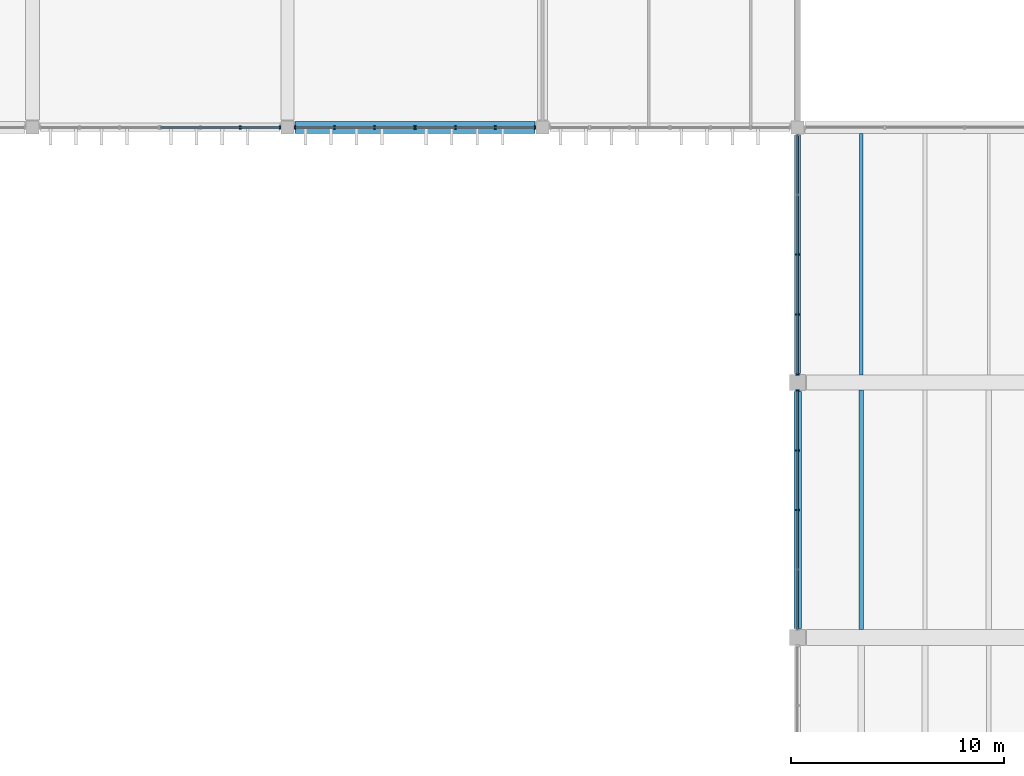
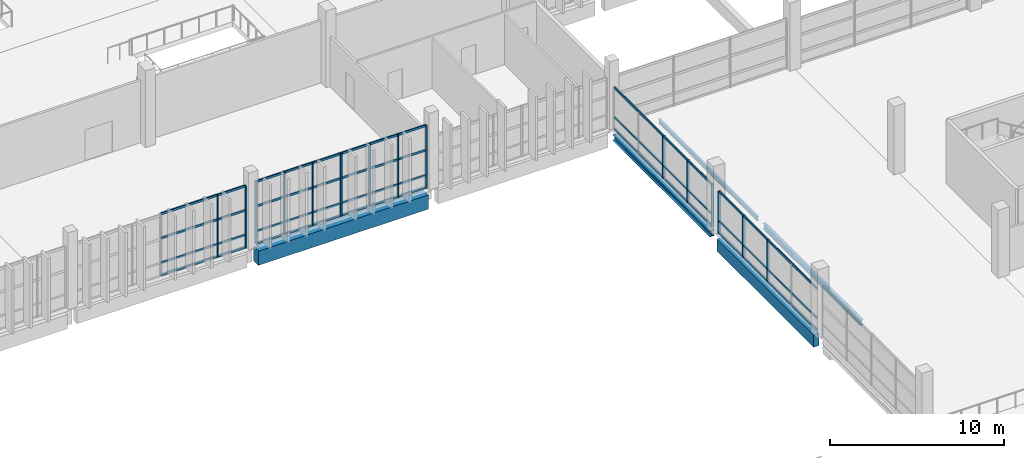
# One storey, part 42 of 112: 34 members, 5 beams, 5 elements without a shape of their own.
"""IFC4 building model written with IfcOpenShell, lengths in metres."""

from ifc_helpers import new_model, si_unit, direction, frame, origin, origin_2d, place, context, subcontext, project, spatial, rectangle, i_section, extrude, material, material_profile, profile_set, type_object, element, aggregate, save


model = new_model("IFC4")

# Units and contexts
model_context = context("Model", 3, precision=1e-05, world=origin(), true_north=direction((0.0, 1.0)))
body_context = subcontext(model_context, "Body", "Model", "MODEL_VIEW")
ifc_project = project(units=[si_unit("LENGTHUNIT", "METRE"), si_unit("AREAUNIT", "SQUARE_METRE"), si_unit("VOLUMEUNIT", "CUBIC_METRE"), si_unit("PLANEANGLEUNIT", "RADIAN"), si_unit("MASSUNIT", "GRAM", prefix="KILO")], contexts=[model_context])

# Site, building, storey
site_placement = place(None, origin())
site = spatial("IfcSite", under=ifc_project, at=site_placement, CompositionType="ELEMENT")
building_placement = place(site_placement, origin())
building = spatial("IfcBuilding", under=site, at=building_placement, Name="Kamomehara Wholesale Market", CompositionType="ELEMENT")
storey_placement = place(building_placement, frame((0.0, 0.0, 6.60009765625)))
storey = spatial("IfcBuildingStorey", under=building, at=storey_placement, Name="L01", CompositionType="ELEMENT", Elevation=6.60009765625)

# Beams
ifc_material_1 = material(Name="Concrete Fc36 (C35/45)", Category="concrete")
ifc_material_profile_1 = material_profile(ifc_material_1, rectangle(XDim=0.550048828125, YDim=1.0, at=origin_2d()), Name="RC-SEB-550x1000")
ifc_profile_set_1 = profile_set([ifc_material_profile_1], Name="Concrete Fc36 (C35/45)")
beam_type_1 = type_object("IfcBeamType", Name="BM-SEB1000-EXT", PredefinedType="SPANDREL", material=ifc_profile_set_1)
beam_1_placement = place(storey_placement, frame((132.35009765625, 96.0, -0.842041015625), z_axis=(1.0, 0.0, 0.0), x_axis=(0.0, 1.0, 0.0)))
element("IfcBeam", 1, at=beam_1_placement, inside=storey, type_object=beam_type_1, Name="Beam SEB-03E L01", PredefinedType="SPANDREL", context=body_context, shape_type="SweptSolid", body=[
    extrude(rectangle(XDim=0.550048828125, YDim=1.0, at=origin_2d()), origin(), (0.0, 0.0, 1.0), 11.2998046875),
])
ifc_material_2 = material(Name="Precast concrete Fc45 (C40/50)", Category="concrete")
ifc_material_profile_2 = material_profile(ifc_material_2, rectangle(XDim=0.35009765625, YDim=0.85009765625, at=origin_2d()), Name="PC-SPN-350x850")
ifc_profile_set_2 = profile_set([ifc_material_profile_2], Name="Precast concrete Fc45 (C40/50)")
beam_type_2 = type_object("IfcBeamType", Name="BM-SPN850-EXT", PredefinedType="SPANDREL", material=ifc_profile_set_2)
beam_2_placement = place(storey_placement, frame((156.0, 72.425048828125, -0.757080078125), z_axis=(0.0, 1.0, 0.0), x_axis=(-1.0, 0.0, 0.0)))
element("IfcBeam", 2, at=beam_2_placement, inside=storey, type_object=beam_type_2, Name="Beam SPN-02E L01", PredefinedType="SPANDREL", context=body_context, shape_type="SweptSolid", body=[
    extrude(rectangle(XDim=0.35009765625, YDim=0.85009765625, at=origin_2d()), origin(), (0.0, 0.0, 1.0), 11.14990234375),
])
ifc_material_3 = material(Name="Steel SN400B", Category="steel")
ifc_material_profile_3 = material_profile(ifc_material_3, i_section(OverallWidth=0.14990234375, OverallDepth=0.300048828125, WebThickness=0.006591796875, FlangeThickness=0.009033203125, FilletRadius=0.012939453125, at=origin_2d()), Name="H-300x150x6.5x9")
ifc_profile_set_3 = profile_set([ifc_material_profile_3], Name="Steel SN400B")
beam_type_3 = type_object("IfcBeamType", Name="BM-ST-H300", PredefinedType="JOIST", material=ifc_profile_set_3)
beam_3_placement = place(storey_placement, frame((159.0, 84.35009765625, -0.482177734375), z_axis=(0.0, 1.0, 0.0), x_axis=(-1.0, 0.0, 0.0)))
element("IfcBeam", 3, at=beam_3_placement, inside=storey, type_object=beam_type_3, Name="Beam SJ-05 L01", PredefinedType="JOIST", context=body_context, shape_type="SweptSolid", body=[
    extrude(i_section(OverallWidth=0.14990234375, OverallDepth=0.300048828125, WebThickness=0.006591796875, FlangeThickness=0.009033203125, FilletRadius=0.012939453125, at=origin_2d()), origin(), (0.0, 0.0, 1.0), 11.375),
])
ifc_material_4 = material(Name="Steel SN490B", Category="steel")
ifc_material_profile_4 = material_profile(ifc_material_4, i_section(OverallWidth=0.300048828125, OverallDepth=0.389892578125, WebThickness=0.010009765625, FlangeThickness=0.01611328125, FilletRadius=0.01806640625, at=origin_2d()), Name="H-390x300x10x16")
ifc_profile_set_4 = profile_set([ifc_material_profile_4], Name="Steel SN490B")
beam_type_4 = type_object("IfcBeamType", Name="BM-ST-H390-EXT", PredefinedType="SPANDREL", material=ifc_profile_set_4)
beam_4_placement = place(storey_placement, frame((156.0, 84.425048828125, -0.527099609375), z_axis=(0.0, 1.0, 0.0), x_axis=(-1.0, 0.0, 0.0)))
element("IfcBeam", 4, at=beam_4_placement, inside=storey, type_object=beam_type_4, Name="Beam SJ-03E L01", PredefinedType="SPANDREL", context=body_context, shape_type="SweptSolid", body=[
    extrude(i_section(OverallWidth=0.300048828125, OverallDepth=0.389892578125, WebThickness=0.010009765625, FlangeThickness=0.01611328125, FilletRadius=0.01806640625, at=origin_2d()), origin(), (0.0, 0.0, 1.0), 11.224853515625),
])
ifc_material_5 = material(Name="Steel SN400B", Category="steel")
ifc_material_profile_5 = material_profile(ifc_material_5, i_section(OverallWidth=0.199951171875, OverallDepth=0.39990234375, WebThickness=0.008056640625, FlangeThickness=0.012939453125, FilletRadius=0.012939453125, at=origin_2d()), Name="H-400x200x8x13")
ifc_profile_set_5 = profile_set([ifc_material_profile_5], Name="Steel SN400B")
beam_type_5 = type_object("IfcBeamType", Name="BM-ST-H400", PredefinedType="JOIST", material=ifc_profile_set_5)
beam_5_placement = place(storey_placement, frame((159.0, 72.375, -0.531982421875), z_axis=(0.0, 1.0, 0.0), x_axis=(-1.0, 0.0, 0.0)))
element("IfcBeam", 5, at=beam_5_placement, inside=storey, type_object=beam_type_5, Name="Beam SJ-02 L01", PredefinedType="JOIST", context=body_context, shape_type="SweptSolid", body=[
    extrude(i_section(OverallWidth=0.199951171875, OverallDepth=0.39990234375, WebThickness=0.008056640625, FlangeThickness=0.012939453125, FilletRadius=0.012939453125, at=origin_2d()), origin(), (0.0, 0.0, 1.0), 11.27490234375),
])

# Curtain wall, members
ifc_material_6 = material(Name="Anodised aluminium 6063-T5", Category="aluminium")
curtain_wall_type_1 = type_object("IfcCurtainWallType", Name="CW-UN-02", PredefinedType="NOTDEFINED", material=ifc_material_6)
curtain_wall_1_placement = place(storey_placement, origin())
curtain_wall_1 = element("IfcCurtainWall", 6, at=curtain_wall_1_placement, inside=storey, type_object=curtain_wall_type_1, Name="Unitised curtain wall CW-079", PredefinedType="NOTDEFINED")
ifc_material_7 = material(Name="Anodised aluminium 6063-T5", Category="aluminium")
ifc_material_profile_6 = material_profile(ifc_material_7, rectangle(XDim=0.074951171875, YDim=0.179931640625, at=origin_2d()), Name="ALU-MUL-75x180")
ifc_profile_set_6 = profile_set([ifc_material_profile_6], Name="Anodised aluminium 6063-T5")
member_type_1 = type_object("IfcMemberType", Name="CW-MUL-180", PredefinedType="MULLION", material=ifc_profile_set_6)
member_1_placement = place(storey_placement, frame((131.64990234375, 96.0, 0.0), z_axis=(0.0, 0.0, 1.0), x_axis=(-1.0, 0.0, 0.0)))
member_1 = element("IfcMember", 7, at=member_1_placement, type_object=member_type_1, Name="Mullion CW-079.0", PredefinedType="MULLION", context=body_context, shape_type="SweptSolid", body=[
    extrude(rectangle(XDim=0.074951171875, YDim=0.179931640625, at=origin_2d()), origin(), (0.0, 0.0, 1.0), 4.3798828125),
])
member_2_placement = place(storey_placement, frame((129.777099609375, 96.0, 0.0), z_axis=(0.0, 0.0, 1.0), x_axis=(-1.0, 0.0, 0.0)))
member_2 = element("IfcMember", 8, at=member_2_placement, type_object=member_type_1, Name="Mullion CW-079.1", PredefinedType="MULLION", context=body_context, shape_type="SweptSolid", body=[
    extrude(rectangle(XDim=0.074951171875, YDim=0.179931640625, at=origin_2d()), origin(), (0.0, 0.0, 1.0), 4.3798828125),
])

curtain_wall_2_placement = place(storey_placement, origin())
curtain_wall_2 = element("IfcCurtainWall", 9, at=curtain_wall_2_placement, inside=storey, type_object=curtain_wall_type_1, Name="Unitised curtain wall CW-083", PredefinedType="NOTDEFINED")
member_3_placement = place(storey_placement, frame((143.64990234375, 96.0, 0.0), z_axis=(0.0, 0.0, 1.0), x_axis=(-1.0, 0.0, 0.0)))
member_3 = element("IfcMember", 10, at=member_3_placement, type_object=member_type_1, Name="Mullion CW-083.0", PredefinedType="MULLION", context=body_context, shape_type="SweptSolid", body=[
    extrude(rectangle(XDim=0.074951171875, YDim=0.179931640625, at=origin_2d()), origin(), (0.0, 0.0, 1.0), 4.429931640625),
])
member_4_placement = place(storey_placement, frame((141.777099609375, 96.0, 0.0), z_axis=(0.0, 0.0, 1.0), x_axis=(-1.0, 0.0, 0.0)))
member_4 = element("IfcMember", 11, at=member_4_placement, type_object=member_type_1, Name="Mullion CW-083.1", PredefinedType="MULLION", context=body_context, shape_type="SweptSolid", body=[
    extrude(rectangle(XDim=0.074951171875, YDim=0.179931640625, at=origin_2d()), origin(), (0.0, 0.0, 1.0), 4.429931640625),
])
member_5_placement = place(storey_placement, frame((139.903076171875, 96.0, 0.0), z_axis=(0.0, 0.0, 1.0), x_axis=(-1.0, 0.0, 0.0)))
member_5 = element("IfcMember", 12, at=member_5_placement, type_object=member_type_1, Name="Mullion CW-083.2", PredefinedType="MULLION", context=body_context, shape_type="SweptSolid", body=[
    extrude(rectangle(XDim=0.074951171875, YDim=0.179931640625, at=origin_2d()), origin(), (0.0, 0.0, 1.0), 4.429931640625),
])
member_6_placement = place(storey_placement, frame((138.030029296875, 96.0, 0.0), z_axis=(0.0, 0.0, 1.0), x_axis=(-1.0, 0.0, 0.0)))
member_6 = element("IfcMember", 13, at=member_6_placement, type_object=member_type_1, Name="Mullion CW-083.3", PredefinedType="MULLION", context=body_context, shape_type="SweptSolid", body=[
    extrude(rectangle(XDim=0.074951171875, YDim=0.179931640625, at=origin_2d()), origin(), (0.0, 0.0, 1.0), 4.429931640625),
])

curtain_wall_3_placement = place(storey_placement, origin())
curtain_wall_3 = element("IfcCurtainWall", 14, at=curtain_wall_3_placement, inside=storey, type_object=curtain_wall_type_1, Name="Unitised curtain wall CW-084", PredefinedType="NOTDEFINED")
member_7_placement = place(storey_placement, frame((137.969970703125, 96.0, 0.0), z_axis=(0.0, 0.0, 1.0), x_axis=(-1.0, 0.0, 0.0)))
member_7 = element("IfcMember", 15, at=member_7_placement, type_object=member_type_1, Name="Mullion CW-084.0", PredefinedType="MULLION", context=body_context, shape_type="SweptSolid", body=[
    extrude(rectangle(XDim=0.074951171875, YDim=0.179931640625, at=origin_2d()), origin(), (0.0, 0.0, 1.0), 4.429931640625),
])
member_8_placement = place(storey_placement, frame((136.096923828125, 96.0, 0.0), z_axis=(0.0, 0.0, 1.0), x_axis=(-1.0, 0.0, 0.0)))
member_8 = element("IfcMember", 16, at=member_8_placement, type_object=member_type_1, Name="Mullion CW-084.1", PredefinedType="MULLION", context=body_context, shape_type="SweptSolid", body=[
    extrude(rectangle(XDim=0.074951171875, YDim=0.179931640625, at=origin_2d()), origin(), (0.0, 0.0, 1.0), 4.429931640625),
])
member_9_placement = place(storey_placement, frame((134.222900390625, 96.0, 0.0), z_axis=(0.0, 0.0, 1.0), x_axis=(-1.0, 0.0, 0.0)))
member_9 = element("IfcMember", 17, at=member_9_placement, type_object=member_type_1, Name="Mullion CW-084.2", PredefinedType="MULLION", context=body_context, shape_type="SweptSolid", body=[
    extrude(rectangle(XDim=0.074951171875, YDim=0.179931640625, at=origin_2d()), origin(), (0.0, 0.0, 1.0), 4.429931640625),
])
member_10_placement = place(storey_placement, frame((132.35009765625, 96.0, 0.0), z_axis=(0.0, 0.0, 1.0), x_axis=(-1.0, 0.0, 0.0)))
member_10 = element("IfcMember", 18, at=member_10_placement, type_object=member_type_1, Name="Mullion CW-084.3", PredefinedType="MULLION", context=body_context, shape_type="SweptSolid", body=[
    extrude(rectangle(XDim=0.074951171875, YDim=0.179931640625, at=origin_2d()), origin(), (0.0, 0.0, 1.0), 4.429931640625),
])

ifc_material_8 = material(Name="Anodised aluminium 6063-T5", Category="aluminium")
curtain_wall_type_2 = type_object("IfcCurtainWallType", Name="CW-UN-01", PredefinedType="NOTDEFINED", material=ifc_material_8)
curtain_wall_4_placement = place(storey_placement, origin())
curtain_wall_4 = element("IfcCurtainWall", 19, at=curtain_wall_4_placement, inside=storey, type_object=curtain_wall_type_2, Name="Unitised curtain wall CW-193", PredefinedType="NOTDEFINED")
member_11_placement = place(storey_placement, frame((156.0, 78.0, 0.0), z_axis=(0.0, 0.0, 1.0), x_axis=(0.0, 1.0, 0.0)))
member_11 = element("IfcMember", 20, at=member_11_placement, type_object=member_type_1, Name="Mullion CW-193.2", PredefinedType="MULLION", context=body_context, shape_type="SweptSolid", body=[
    extrude(rectangle(XDim=0.074951171875, YDim=0.179931640625, at=origin_2d()), origin(), (0.0, 0.0, 1.0), 2.968017578125),
])
member_12_placement = place(storey_placement, frame((156.0, 80.80810546875, 0.0), z_axis=(0.0, 0.0, 1.0), x_axis=(0.0, 1.0, 0.0)))
member_12 = element("IfcMember", 21, at=member_12_placement, type_object=member_type_1, Name="Mullion CW-193.3", PredefinedType="MULLION", context=body_context, shape_type="SweptSolid", body=[
    extrude(rectangle(XDim=0.074951171875, YDim=0.179931640625, at=origin_2d()), origin(), (0.0, 0.0, 1.0), 2.968017578125),
])
member_13_placement = place(storey_placement, frame((156.0, 83.614990234375, 0.0), z_axis=(0.0, 0.0, 1.0), x_axis=(0.0, 1.0, 0.0)))
member_13 = element("IfcMember", 22, at=member_13_placement, type_object=member_type_1, Name="Mullion CW-193.4", PredefinedType="MULLION", context=body_context, shape_type="SweptSolid", body=[
    extrude(rectangle(XDim=0.074951171875, YDim=0.179931640625, at=origin_2d()), origin(), (0.0, 0.0, 1.0), 2.968017578125),
])

curtain_wall_5_placement = place(storey_placement, origin())
curtain_wall_5 = element("IfcCurtainWall", 23, at=curtain_wall_5_placement, inside=storey, type_object=curtain_wall_type_2, Name="Unitised curtain wall CW-194", PredefinedType="NOTDEFINED")
member_14_placement = place(storey_placement, frame((156.0, 84.385009765625, 0.0), z_axis=(0.0, 0.0, 1.0), x_axis=(0.0, 1.0, 0.0)))
member_14 = element("IfcMember", 24, at=member_14_placement, type_object=member_type_1, Name="Mullion CW-194.0", PredefinedType="MULLION", context=body_context, shape_type="SweptSolid", body=[
    extrude(rectangle(XDim=0.074951171875, YDim=0.179931640625, at=origin_2d()), origin(), (0.0, 0.0, 1.0), 2.968017578125),
])
member_15_placement = place(storey_placement, frame((156.0, 87.200927734375, 0.0), z_axis=(0.0, 0.0, 1.0), x_axis=(0.0, 1.0, 0.0)))
member_15 = element("IfcMember", 25, at=member_15_placement, type_object=member_type_1, Name="Mullion CW-194.1", PredefinedType="MULLION", context=body_context, shape_type="SweptSolid", body=[
    extrude(rectangle(XDim=0.074951171875, YDim=0.179931640625, at=origin_2d()), origin(), (0.0, 0.0, 1.0), 2.968017578125),
])
member_16_placement = place(storey_placement, frame((156.0, 90.01806640625, 0.0), z_axis=(0.0, 0.0, 1.0), x_axis=(0.0, 1.0, 0.0)))
member_16 = element("IfcMember", 26, at=member_16_placement, type_object=member_type_1, Name="Mullion CW-194.2", PredefinedType="MULLION", context=body_context, shape_type="SweptSolid", body=[
    extrude(rectangle(XDim=0.074951171875, YDim=0.179931640625, at=origin_2d()), origin(), (0.0, 0.0, 1.0), 2.968017578125),
])

# Member
ifc_material_9 = material(Name="Anodised aluminium 6063-T5", Category="aluminium")
ifc_material_profile_7 = material_profile(ifc_material_9, rectangle(XDim=0.074951171875, YDim=0.14990234375, at=origin_2d()), Name="ALU-TRN-75x150")
ifc_profile_set_7 = profile_set([ifc_material_profile_7], Name="Anodised aluminium 6063-T5")
member_type_2 = type_object("IfcMemberType", Name="CW-TRN-150", PredefinedType="USERDEFINED", material=ifc_profile_set_7)
member_17_placement = place(storey_placement, frame((131.64990234375, 96.0, 0.039794921875), z_axis=(-1.0, 0.0, 0.0), x_axis=(0.0, -1.0, 0.0)))
member_17 = element("IfcMember", 27, at=member_17_placement, type_object=member_type_2, Name="Transom CW-079.0", ObjectType="TRANSOM", PredefinedType="USERDEFINED", context=body_context, shape_type="SweptSolid", body=[
    extrude(rectangle(XDim=0.074951171875, YDim=0.14990234375, at=origin_2d()), origin(), (0.0, 0.0, 1.0), 5.619873046875),
])

member_18_placement = place(storey_placement, frame((131.64990234375, 96.0, 0.89990234375), z_axis=(-1.0, 0.0, 0.0), x_axis=(0.0, -1.0, 0.0)))
member_18 = element("IfcMember", 28, at=member_18_placement, type_object=member_type_2, Name="Transom CW-079.1", ObjectType="TRANSOM", PredefinedType="USERDEFINED", context=body_context, shape_type="SweptSolid", body=[
    extrude(rectangle(XDim=0.074951171875, YDim=0.14990234375, at=origin_2d()), origin(), (0.0, 0.0, 1.0), 5.619873046875),
])

member_19_placement = place(storey_placement, frame((131.64990234375, 96.0, 2.639892578125), z_axis=(-1.0, 0.0, 0.0), x_axis=(0.0, -1.0, 0.0)))
member_19 = element("IfcMember", 29, at=member_19_placement, type_object=member_type_2, Name="Transom CW-079.2", ObjectType="TRANSOM", PredefinedType="USERDEFINED", context=body_context, shape_type="SweptSolid", body=[
    extrude(rectangle(XDim=0.074951171875, YDim=0.14990234375, at=origin_2d()), origin(), (0.0, 0.0, 1.0), 5.619873046875),
])

member_20_placement = place(storey_placement, frame((131.64990234375, 96.0, 4.33984375), z_axis=(-1.0, 0.0, 0.0), x_axis=(0.0, -1.0, 0.0)))
member_20 = element("IfcMember", 30, at=member_20_placement, type_object=member_type_2, Name="Transom CW-079.3", ObjectType="TRANSOM", PredefinedType="USERDEFINED", context=body_context, shape_type="SweptSolid", body=[
    extrude(rectangle(XDim=0.074951171875, YDim=0.14990234375, at=origin_2d()), origin(), (0.0, 0.0, 1.0), 5.619873046875),
])

aggregate(curtain_wall_1, [member_1, member_2, member_17, member_18, member_19, member_20])

member_21_placement = place(storey_placement, frame((143.64990234375, 96.0, 0.039794921875), z_axis=(-1.0, 0.0, 0.0), x_axis=(0.0, -1.0, 0.0)))
member_21 = element("IfcMember", 31, at=member_21_placement, type_object=member_type_2, Name="Transom CW-083.0", ObjectType="TRANSOM", PredefinedType="USERDEFINED", context=body_context, shape_type="SweptSolid", body=[
    extrude(rectangle(XDim=0.074951171875, YDim=0.14990234375, at=origin_2d()), origin(), (0.0, 0.0, 1.0), 5.619873046875),
])

member_22_placement = place(storey_placement, frame((143.64990234375, 96.0, 0.89990234375), z_axis=(-1.0, 0.0, 0.0), x_axis=(0.0, -1.0, 0.0)))
member_22 = element("IfcMember", 32, at=member_22_placement, type_object=member_type_2, Name="Transom CW-083.1", ObjectType="TRANSOM", PredefinedType="USERDEFINED", context=body_context, shape_type="SweptSolid", body=[
    extrude(rectangle(XDim=0.074951171875, YDim=0.14990234375, at=origin_2d()), origin(), (0.0, 0.0, 1.0), 5.619873046875),
])

member_23_placement = place(storey_placement, frame((143.64990234375, 96.0, 2.664794921875), z_axis=(-1.0, 0.0, 0.0), x_axis=(0.0, -1.0, 0.0)))
member_23 = element("IfcMember", 33, at=member_23_placement, type_object=member_type_2, Name="Transom CW-083.2", ObjectType="TRANSOM", PredefinedType="USERDEFINED", context=body_context, shape_type="SweptSolid", body=[
    extrude(rectangle(XDim=0.074951171875, YDim=0.14990234375, at=origin_2d()), origin(), (0.0, 0.0, 1.0), 5.619873046875),
])

member_24_placement = place(storey_placement, frame((143.64990234375, 96.0, 4.389892578125), z_axis=(-1.0, 0.0, 0.0), x_axis=(0.0, -1.0, 0.0)))
member_24 = element("IfcMember", 34, at=member_24_placement, type_object=member_type_2, Name="Transom CW-083.3", ObjectType="TRANSOM", PredefinedType="USERDEFINED", context=body_context, shape_type="SweptSolid", body=[
    extrude(rectangle(XDim=0.074951171875, YDim=0.14990234375, at=origin_2d()), origin(), (0.0, 0.0, 1.0), 5.619873046875),
])

aggregate(curtain_wall_2, [member_3, member_4, member_5, member_6, member_21, member_22, member_23, member_24])

member_25_placement = place(storey_placement, frame((137.969970703125, 96.0, 0.039794921875), z_axis=(-1.0, 0.0, 0.0), x_axis=(0.0, -1.0, 0.0)))
member_25 = element("IfcMember", 35, at=member_25_placement, type_object=member_type_2, Name="Transom CW-084.0", ObjectType="TRANSOM", PredefinedType="USERDEFINED", context=body_context, shape_type="SweptSolid", body=[
    extrude(rectangle(XDim=0.074951171875, YDim=0.14990234375, at=origin_2d()), origin(), (0.0, 0.0, 1.0), 5.619873046875),
])

member_26_placement = place(storey_placement, frame((137.969970703125, 96.0, 0.89990234375), z_axis=(-1.0, 0.0, 0.0), x_axis=(0.0, -1.0, 0.0)))
member_26 = element("IfcMember", 36, at=member_26_placement, type_object=member_type_2, Name="Transom CW-084.1", ObjectType="TRANSOM", PredefinedType="USERDEFINED", context=body_context, shape_type="SweptSolid", body=[
    extrude(rectangle(XDim=0.074951171875, YDim=0.14990234375, at=origin_2d()), origin(), (0.0, 0.0, 1.0), 5.619873046875),
])

member_27_placement = place(storey_placement, frame((137.969970703125, 96.0, 2.664794921875), z_axis=(-1.0, 0.0, 0.0), x_axis=(0.0, -1.0, 0.0)))
member_27 = element("IfcMember", 37, at=member_27_placement, type_object=member_type_2, Name="Transom CW-084.2", ObjectType="TRANSOM", PredefinedType="USERDEFINED", context=body_context, shape_type="SweptSolid", body=[
    extrude(rectangle(XDim=0.074951171875, YDim=0.14990234375, at=origin_2d()), origin(), (0.0, 0.0, 1.0), 5.619873046875),
])

member_28_placement = place(storey_placement, frame((137.969970703125, 96.0, 4.389892578125), z_axis=(-1.0, 0.0, 0.0), x_axis=(0.0, -1.0, 0.0)))
member_28 = element("IfcMember", 38, at=member_28_placement, type_object=member_type_2, Name="Transom CW-084.3", ObjectType="TRANSOM", PredefinedType="USERDEFINED", context=body_context, shape_type="SweptSolid", body=[
    extrude(rectangle(XDim=0.074951171875, YDim=0.14990234375, at=origin_2d()), origin(), (0.0, 0.0, 1.0), 5.619873046875),
])

aggregate(curtain_wall_3, [member_7, member_8, member_9, member_10, member_25, member_26, member_27, member_28])

member_29_placement = place(storey_placement, frame((156.0, 72.385009765625, 0.039794921875), z_axis=(0.0, 1.0, 0.0), x_axis=(-1.0, 0.0, 0.0)))
member_29 = element("IfcMember", 39, at=member_29_placement, type_object=member_type_2, Name="Transom CW-193.0", ObjectType="TRANSOM", PredefinedType="USERDEFINED", context=body_context, shape_type="SweptSolid", body=[
    extrude(rectangle(XDim=0.074951171875, YDim=0.14990234375, at=origin_2d()), origin(), (0.0, 0.0, 1.0), 11.22998046875),
])

member_30_placement = place(storey_placement, frame((156.0, 72.385009765625, 0.849853515625), z_axis=(0.0, 1.0, 0.0), x_axis=(-1.0, 0.0, 0.0)))
member_30 = element("IfcMember", 40, at=member_30_placement, type_object=member_type_2, Name="Transom CW-193.1", ObjectType="TRANSOM", PredefinedType="USERDEFINED", context=body_context, shape_type="SweptSolid", body=[
    extrude(rectangle(XDim=0.074951171875, YDim=0.14990234375, at=origin_2d()), origin(), (0.0, 0.0, 1.0), 11.22998046875),
])

member_31_placement = place(storey_placement, frame((156.0, 72.385009765625, 2.927978515625), z_axis=(0.0, 1.0, 0.0), x_axis=(-1.0, 0.0, 0.0)))
member_31 = element("IfcMember", 41, at=member_31_placement, type_object=member_type_2, Name="Transom CW-193.2", ObjectType="TRANSOM", PredefinedType="USERDEFINED", context=body_context, shape_type="SweptSolid", body=[
    extrude(rectangle(XDim=0.074951171875, YDim=0.14990234375, at=origin_2d()), origin(), (0.0, 0.0, 1.0), 11.22998046875),
])

aggregate(curtain_wall_4, [member_11, member_12, member_13, member_29, member_30, member_31])

member_32_placement = place(storey_placement, frame((156.0, 84.385009765625, 0.039794921875), z_axis=(0.0, 1.0, 0.0), x_axis=(-1.0, 0.0, 0.0)))
member_32 = element("IfcMember", 42, at=member_32_placement, type_object=member_type_2, Name="Transom CW-194.0", ObjectType="TRANSOM", PredefinedType="USERDEFINED", context=body_context, shape_type="SweptSolid", body=[
    extrude(rectangle(XDim=0.074951171875, YDim=0.14990234375, at=origin_2d()), origin(), (0.0, 0.0, 1.0), 11.264892578125),
])

member_33_placement = place(storey_placement, frame((156.0, 84.385009765625, 0.849853515625), z_axis=(0.0, 1.0, 0.0), x_axis=(-1.0, 0.0, 0.0)))
member_33 = element("IfcMember", 43, at=member_33_placement, type_object=member_type_2, Name="Transom CW-194.1", ObjectType="TRANSOM", PredefinedType="USERDEFINED", context=body_context, shape_type="SweptSolid", body=[
    extrude(rectangle(XDim=0.074951171875, YDim=0.14990234375, at=origin_2d()), origin(), (0.0, 0.0, 1.0), 11.264892578125),
])

member_34_placement = place(storey_placement, frame((156.0, 84.385009765625, 2.927978515625), z_axis=(0.0, 1.0, 0.0), x_axis=(-1.0, 0.0, 0.0)))
member_34 = element("IfcMember", 44, at=member_34_placement, type_object=member_type_2, Name="Transom CW-194.2", ObjectType="TRANSOM", PredefinedType="USERDEFINED", context=body_context, shape_type="SweptSolid", body=[
    extrude(rectangle(XDim=0.074951171875, YDim=0.14990234375, at=origin_2d()), origin(), (0.0, 0.0, 1.0), 11.264892578125),
])

aggregate(curtain_wall_5, [member_14, member_15, member_16, member_32, member_33, member_34])

save(model, "model.ifc")
